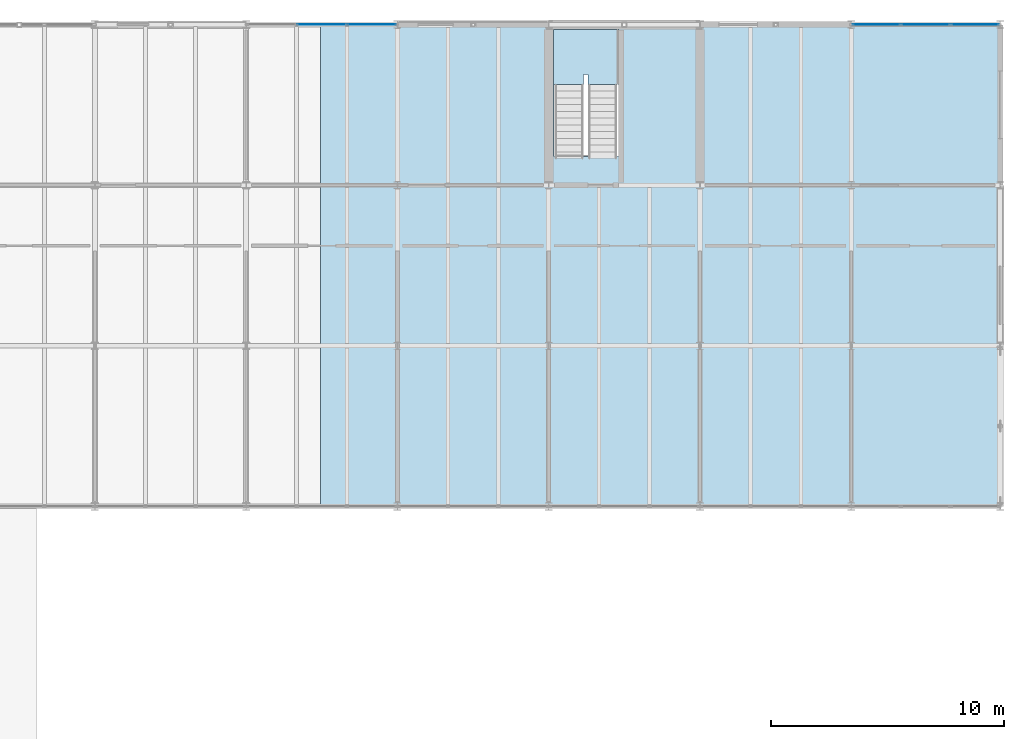
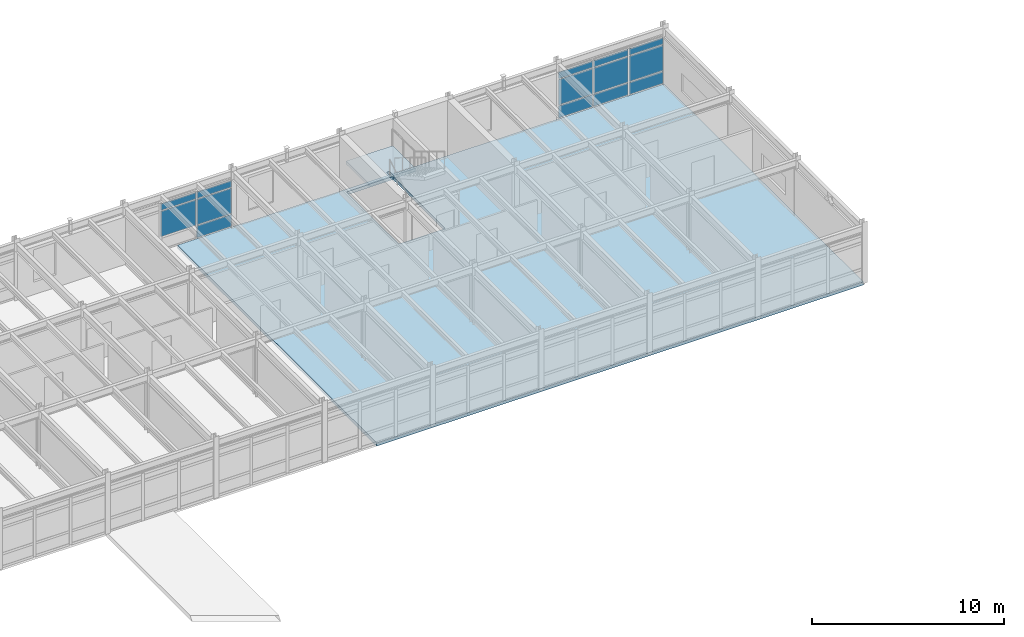
# One storey, part 33 of 49: 14 plates, 2 slabs, 3 elements without a shape of their own.
"""IFC4 building model written with IfcOpenShell, lengths in metres."""

from ifc_helpers import new_model, si_unit, direction, frame, origin, origin_2d, place, context, subcontext, project, spatial, polyline, rectangle, outline, extrude, material, layer, layer_set, type_object, element, aggregate, save


model = new_model("IFC4")

# Units and contexts
model_context = context("Model", 3, precision=1e-05, world=origin(), true_north=direction((0.0, 1.0)))
body_context = subcontext(model_context, "Body", "Model", "MODEL_VIEW")
ifc_project = project(units=[si_unit("LENGTHUNIT", "METRE"), si_unit("AREAUNIT", "SQUARE_METRE"), si_unit("VOLUMEUNIT", "CUBIC_METRE"), si_unit("PLANEANGLEUNIT", "RADIAN"), si_unit("MASSUNIT", "GRAM", prefix="KILO")], contexts=[model_context])

# Site, building, storey
site_placement = place(None, origin())
site = spatial("IfcSite", under=ifc_project, at=site_placement, CompositionType="ELEMENT")
building_placement = place(site_placement, origin())
building = spatial("IfcBuilding", under=site, at=building_placement, Name="Trelmorton Wharf Fire Station", CompositionType="ELEMENT")
storey_placement = place(building_placement, frame((0.0, 0.0, 9.60009765625)))
storey = spatial("IfcBuildingStorey", under=building, at=storey_placement, Name="L02", CompositionType="ELEMENT", Elevation=9.60009765625)

# Curtain wall, plates
ifc_material_1 = material(Name="Anodised aluminium AW-6063", Category="aluminium")
ifc_layer_1 = layer(ifc_material_1, 0.14990234375)
ifc_layer_set_1 = layer_set([ifc_layer_1], Name="Anodised aluminium AW-6063")
curtain_wall_type = type_object("IfcCurtainWallType", Name="CW_UNIT_A", PredefinedType="USERDEFINED", material=ifc_layer_set_1)
curtain_wall_1_placement = place(storey_placement, origin())
curtain_wall_1 = element("IfcCurtainWall", 1, at=curtain_wall_1_placement, inside=storey, type_object=curtain_wall_type, Name="CW-V4-L02-142", ObjectType="UNITISED CURTAIN WALL", PredefinedType="USERDEFINED")
ifc_material_2 = material(Name="Tempered low-E double glazing", Category="glass")
ifc_layer_2 = layer(ifc_material_2, 0.028076171875)
ifc_layer_set_2 = layer_set([ifc_layer_2], Name="Tempered low-E double glazing")
plate_type_1 = type_object("IfcPlateType", Name="CWP_GLAZ_28", PredefinedType="CURTAIN_PANEL", material=ifc_layer_set_2)
plate_1_placement = place(storey_placement, frame((157.0849609375, 81.0, 0.06005859375), z_axis=(0.0, 0.0, 1.0), x_axis=(1.0, 0.0, 0.0)))
plate_1 = element("IfcPlate", 2, at=plate_1_placement, type_object=plate_type_1, Name="CW3 panel 1.1", PredefinedType="CURTAIN_PANEL", context=body_context, shape_type="SweptSolid", body=[
    extrude(rectangle(XDim=2.0400390625, YDim=0.028076171875, at=origin_2d()), origin(), (0.0, 0.0, 1.0), 0.760009765625),
])
plate_2_placement = place(storey_placement, frame((157.0849609375, 81.0, 0.8798828125), z_axis=(0.0, 0.0, 1.0), x_axis=(1.0, 0.0, 0.0)))
plate_2 = element("IfcPlate", 3, at=plate_2_placement, type_object=plate_type_1, Name="CW3 panel 1.2", PredefinedType="CURTAIN_PANEL", context=body_context, shape_type="SweptSolid", body=[
    extrude(rectangle(XDim=2.0400390625, YDim=0.028076171875, at=origin_2d()), origin(), (0.0, 0.0, 1.0), 1.610107421875),
])
plate_3_placement = place(storey_placement, frame((157.0849609375, 81.0, 2.5498046875), z_axis=(0.0, 0.0, 1.0), x_axis=(1.0, 0.0, 0.0)))
plate_3 = element("IfcPlate", 4, at=plate_3_placement, type_object=plate_type_1, Name="CW3 panel 1.3", PredefinedType="CURTAIN_PANEL", context=body_context, shape_type="SweptSolid", body=[
    extrude(rectangle(XDim=2.0400390625, YDim=0.028076171875, at=origin_2d()), origin(), (0.0, 0.0, 1.0), 0.409912109375),
])
plate_4_placement = place(storey_placement, frame((159.199951171875, 81.0, 0.06005859375), z_axis=(0.0, 0.0, 1.0), x_axis=(1.0, 0.0, 0.0)))
plate_4 = element("IfcPlate", 5, at=plate_4_placement, type_object=plate_type_1, Name="CW3 panel 2.1", PredefinedType="CURTAIN_PANEL", context=body_context, shape_type="SweptSolid", body=[
    extrude(rectangle(XDim=2.070068359375, YDim=0.028076171875, at=origin_2d()), origin(), (0.0, 0.0, 1.0), 0.760009765625),
])
plate_5_placement = place(storey_placement, frame((159.199951171875, 81.0, 0.8798828125), z_axis=(0.0, 0.0, 1.0), x_axis=(1.0, 0.0, 0.0)))
plate_5 = element("IfcPlate", 6, at=plate_5_placement, type_object=plate_type_1, Name="CW3 panel 2.2", PredefinedType="CURTAIN_PANEL", context=body_context, shape_type="SweptSolid", body=[
    extrude(rectangle(XDim=2.070068359375, YDim=0.028076171875, at=origin_2d()), origin(), (0.0, 0.0, 1.0), 1.610107421875),
])
plate_6_placement = place(storey_placement, frame((159.199951171875, 81.0, 2.5498046875), z_axis=(0.0, 0.0, 1.0), x_axis=(1.0, 0.0, 0.0)))
plate_6 = element("IfcPlate", 7, at=plate_6_placement, type_object=plate_type_1, Name="CW3 panel 2.3", PredefinedType="CURTAIN_PANEL", context=body_context, shape_type="SweptSolid", body=[
    extrude(rectangle(XDim=2.070068359375, YDim=0.028076171875, at=origin_2d()), origin(), (0.0, 0.0, 1.0), 0.409912109375),
])
plate_7_placement = place(storey_placement, frame((161.31494140625, 81.0, 0.06005859375), z_axis=(0.0, 0.0, 1.0), x_axis=(1.0, 0.0, 0.0)))
plate_7 = element("IfcPlate", 8, at=plate_7_placement, type_object=plate_type_1, Name="CW3 panel 3.1", PredefinedType="CURTAIN_PANEL", context=body_context, shape_type="SweptSolid", body=[
    extrude(rectangle(XDim=2.0400390625, YDim=0.028076171875, at=origin_2d()), origin(), (0.0, 0.0, 1.0), 0.760009765625),
])
plate_8_placement = place(storey_placement, frame((161.31494140625, 81.0, 0.8798828125), z_axis=(0.0, 0.0, 1.0), x_axis=(1.0, 0.0, 0.0)))
plate_8 = element("IfcPlate", 9, at=plate_8_placement, type_object=plate_type_1, Name="CW3 panel 3.2", PredefinedType="CURTAIN_PANEL", context=body_context, shape_type="SweptSolid", body=[
    extrude(rectangle(XDim=2.0400390625, YDim=0.028076171875, at=origin_2d()), origin(), (0.0, 0.0, 1.0), 1.610107421875),
])
plate_9_placement = place(storey_placement, frame((161.31494140625, 81.0, 2.5498046875), z_axis=(0.0, 0.0, 1.0), x_axis=(1.0, 0.0, 0.0)))
plate_9 = element("IfcPlate", 10, at=plate_9_placement, type_object=plate_type_1, Name="CW3 panel 3.3", PredefinedType="CURTAIN_PANEL", context=body_context, shape_type="SweptSolid", body=[
    extrude(rectangle(XDim=2.0400390625, YDim=0.028076171875, at=origin_2d()), origin(), (0.0, 0.0, 1.0), 0.409912109375),
])
aggregate(curtain_wall_1, [plate_1, plate_2, plate_3, plate_4, plate_5, plate_6, plate_7, plate_8, plate_9])

curtain_wall_2_placement = place(storey_placement, origin())
curtain_wall_2 = element("IfcCurtainWall", 11, at=curtain_wall_2_placement, inside=storey, type_object=curtain_wall_type, Name="CW-V4-L02-141", ObjectType="UNITISED CURTAIN WALL", PredefinedType="USERDEFINED")
ifc_layer_3 = layer(ifc_material_2, 0.028076171875)
ifc_layer_set_3 = layer_set([ifc_layer_3], Name="Tempered low-E double glazing")
plate_type_2 = type_object("IfcPlateType", Name="CWP_GLAZ_38", PredefinedType="CURTAIN_PANEL", material=ifc_layer_set_3)
plate_10_placement = place(storey_placement, frame((133.25, 81.0, 0.8798828125), z_axis=(0.0, 0.0, 1.0), x_axis=(1.0, 0.0, 0.0)))
plate_10 = element("IfcPlate", 12, at=plate_10_placement, type_object=plate_type_2, Name="CW3 panel 2.2", PredefinedType="CURTAIN_PANEL", context=body_context, shape_type="SweptSolid", body=[
    extrude(rectangle(XDim=2.103271484375, YDim=0.028076171875, at=origin_2d()), origin(), (0.0, 0.0, 1.0), 1.610107421875),
])
plate_11_placement = place(storey_placement, frame((133.25, 81.0, 2.5498046875), z_axis=(0.0, 0.0, 1.0), x_axis=(1.0, 0.0, 0.0)))
plate_11 = element("IfcPlate", 13, at=plate_11_placement, type_object=plate_type_2, Name="CW3 panel 2.3", PredefinedType="CURTAIN_PANEL", context=body_context, shape_type="SweptSolid", body=[
    extrude(rectangle(XDim=2.103271484375, YDim=0.028076171875, at=origin_2d()), origin(), (0.0, 0.0, 1.0), 0.409912109375),
])
plate_12_placement = place(storey_placement, frame((135.3984375, 81.0, 0.06005859375), z_axis=(0.0, 0.0, 1.0), x_axis=(1.0, 0.0, 0.0)))
plate_12 = element("IfcPlate", 14, at=plate_12_placement, type_object=plate_type_2, Name="CW3 panel 3.1", PredefinedType="CURTAIN_PANEL", context=body_context, shape_type="SweptSolid", body=[
    extrude(rectangle(XDim=2.0732421875, YDim=0.028076171875, at=origin_2d()), origin(), (0.0, 0.0, 1.0), 0.760009765625),
])
plate_13_placement = place(storey_placement, frame((135.3984375, 81.0, 0.8798828125), z_axis=(0.0, 0.0, 1.0), x_axis=(1.0, 0.0, 0.0)))
plate_13 = element("IfcPlate", 15, at=plate_13_placement, type_object=plate_type_2, Name="CW3 panel 3.2", PredefinedType="CURTAIN_PANEL", context=body_context, shape_type="SweptSolid", body=[
    extrude(rectangle(XDim=2.0732421875, YDim=0.028076171875, at=origin_2d()), origin(), (0.0, 0.0, 1.0), 1.610107421875),
])
plate_14_placement = place(storey_placement, frame((135.3984375, 81.0, 2.5498046875), z_axis=(0.0, 0.0, 1.0), x_axis=(1.0, 0.0, 0.0)))
plate_14 = element("IfcPlate", 16, at=plate_14_placement, type_object=plate_type_2, Name="CW3 panel 3.3", PredefinedType="CURTAIN_PANEL", context=body_context, shape_type="SweptSolid", body=[
    extrude(rectangle(XDim=2.0732421875, YDim=0.028076171875, at=origin_2d()), origin(), (0.0, 0.0, 1.0), 0.409912109375),
])
aggregate(curtain_wall_2, [plate_10, plate_11, plate_12, plate_13, plate_14])

# Slab
ifc_material_3 = material(Name="Concrete 40 MPa", Category="concrete")
ifc_layer_4 = layer(ifc_material_3, 0.199951171875)
ifc_layer_set_4 = layer_set([ifc_layer_4], Name="Concrete 40 MPa")
slab_type_1 = type_object("IfcSlabType", Name="SL_FLOOR_200", PredefinedType="FLOOR", material=ifc_layer_set_4)
slab_1_placement = place(storey_placement, frame((0.0, 0.0, -0.2001953125)))
element("IfcSlab", 17, at=slab_1_placement, inside=storey, type_object=slab_type_1, Name="SL-V4-L02-058", PredefinedType="FLOOR", context=body_context, shape_type="SweptSolid", body=[
    extrude(outline(polyline([(162.39990234375, 60.300048828125), (133.199951171875, 60.300048828125), (133.199951171875, 81.0), (162.39990234375, 81.0), (162.39990234375, 60.300048828125)]), holes=[polyline([(143.219970703125, 80.780029296875), (143.219970703125, 75.340087890625), (146.010009765625, 75.340087890625), (146.010009765625, 80.780029296875), (143.219970703125, 80.780029296875)])]), origin(), (0.0, 0.0, 1.0), 0.2001953125),
])

# Stair, slab
ifc_material_4 = material(Name="Precast concrete 45 MPa", Category="concrete")
stair_type = type_object("IfcStairType", Name="ST_DOG_390", PredefinedType="HALF_TURN_STAIR", material=ifc_material_4)
stair_placement = place(storey_placement, origin())
stair = element("IfcStair", 18, at=stair_placement, inside=storey, type_object=stair_type, Name="Escape Stair ST11-L02", PredefinedType="HALF_TURN_STAIR")
ifc_layer_5 = layer(ifc_material_4, 0.199951171875)
ifc_layer_set_5 = layer_set([ifc_layer_5], Name="Precast concrete 45 MPa")
slab_type_2 = type_object("IfcSlabType", Name="SL_LAND_180", PredefinedType="LANDING", material=ifc_layer_set_5)
slab_2_placement = place(storey_placement, frame((0.0, 0.0, 1.75)))
slab_2 = element("IfcSlab", 19, at=slab_2_placement, type_object=slab_type_2, Name="ST11-L02 landing 1", PredefinedType="LANDING", context=body_context, shape_type="SweptSolid", body=[
    extrude(outline(polyline([(143.205078125, 78.429931640625), (144.5, 78.429931640625), (144.5, 78.85009765625), (144.699951171875, 78.85009765625), (144.699951171875, 78.429931640625), (146.0048828125, 78.429931640625), (146.0048828125, 80.794921875), (143.205078125, 80.794921875), (143.205078125, 78.429931640625)])), origin(), (0.0, 0.0, 1.0), 0.199951171875),
])
aggregate(stair, [slab_2])

save(model, "model.ifc")
